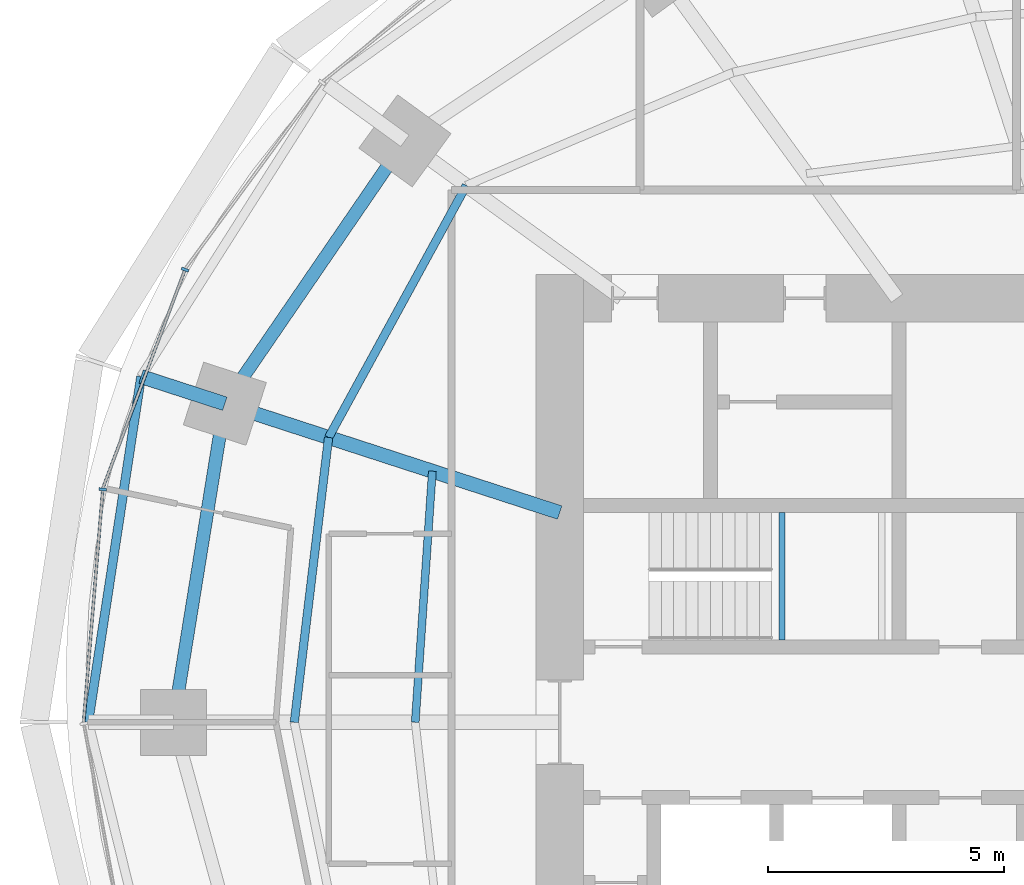
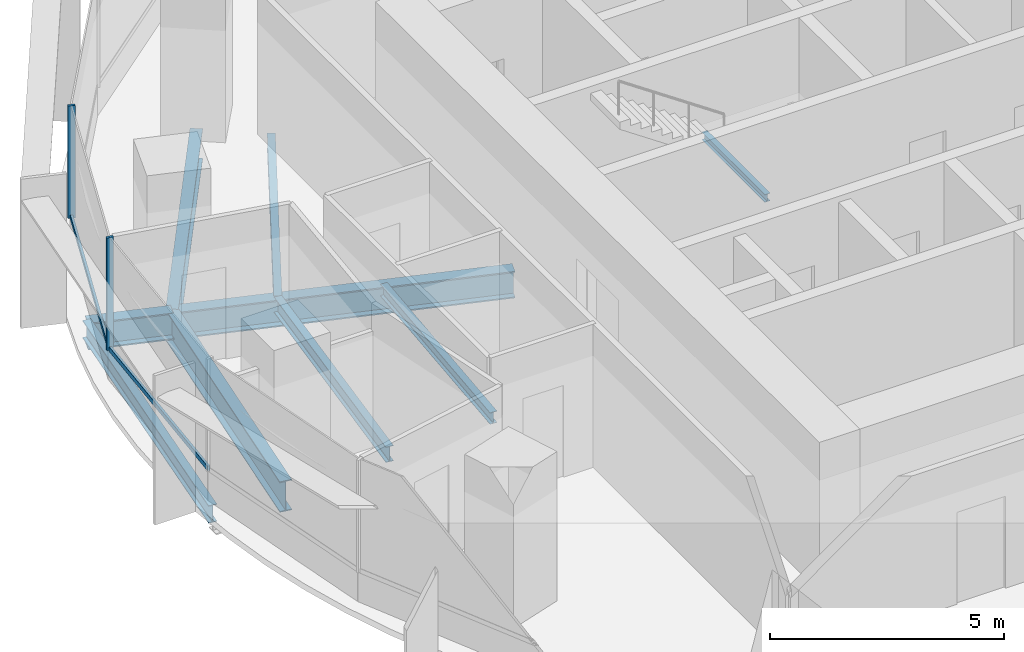
# One storey, part 4 of 14: 9 beams, 4 members, 1 element without a shape of its own.
"""IFC4 building model written with IfcOpenShell, lengths in metres."""

from ifc_helpers import new_model, si_unit, direction, frame, origin, origin_2d, place, context, subcontext, project, spatial, rectangle, i_section, extrude, material, material_profile, profile_set, type_object, element, aggregate, save


model = new_model("IFC4")

# Units and contexts
model_context = context("Model", 3, precision=1e-05, world=origin(), true_north=direction((0.0, 1.0)))
body_context = subcontext(model_context, "Body", "Model", "MODEL_VIEW")
ifc_project = project(units=[si_unit("LENGTHUNIT", "METRE"), si_unit("AREAUNIT", "SQUARE_METRE"), si_unit("VOLUMEUNIT", "CUBIC_METRE"), si_unit("PLANEANGLEUNIT", "RADIAN"), si_unit("MASSUNIT", "GRAM", prefix="KILO")], contexts=[model_context])

# Site, building, storey
site_placement = place(None, origin())
site = spatial("IfcSite", under=ifc_project, at=site_placement, CompositionType="ELEMENT")
building_placement = place(site_placement, origin())
building = spatial("IfcBuilding", under=site, at=building_placement, Name="Marramba Exchange Tower", CompositionType="ELEMENT")
storey_placement = place(building_placement, frame((0.0, 0.0, 176.0)))
storey = spatial("IfcBuildingStorey", under=building, at=storey_placement, Name="L42", CompositionType="ELEMENT", Elevation=176.0)

# Beams
ifc_material_1 = material(Name="Steel AS/NZS 3679.2 grade 300", Category="steel")
ifc_material_profile_1 = material_profile(ifc_material_1, i_section(OverallWidth=0.300048828125, OverallDepth=0.699951171875, WebThickness=0.010009765625, FlangeThickness=0.031982421875, at=origin_2d()), Name="700WB173")
ifc_profile_set_1 = profile_set([ifc_material_profile_1], Name="Steel AS/NZS 3679.2 grade 300")
beam_type_1 = type_object("IfcBeamType", Name="Cantilever girder 700WB173", PredefinedType="BEAM", material=ifc_profile_set_1)
beam_1_placement = place(storey_placement, frame((-20.808349609375, 6.760986328125, -0.510009765625), z_axis=(-0.951047511993, 0.309044705395, 0.0), x_axis=(-0.309044705395, -0.951047511993, 0.0)))
element("IfcBeam", 1, at=beam_1_placement, inside=storey, type_object=beam_type_1, Name="Cantilever girder L42 TC10", PredefinedType="BEAM", context=body_context, shape_type="SweptSolid", body=[
    extrude(i_section(OverallWidth=0.300048828125, OverallDepth=0.699951171875, WebThickness=0.010009765625, FlangeThickness=0.031982421875, at=origin_2d()), origin(), (0.0, 0.0, 1.0), 1.868408203125),
])
ifc_material_2 = material(Name="Steel AS/NZS 3679.1 grade 300", Category="steel")
ifc_material_profile_2 = material_profile(ifc_material_2, i_section(OverallWidth=0.166015625, OverallDepth=0.306884765625, WebThickness=0.006591796875, FlangeThickness=0.01171875, FilletRadius=0.011474609375, at=origin_2d()), Name="310UB46.2")
ifc_profile_set_2 = profile_set([ifc_material_profile_2], Name="Steel AS/NZS 3679.1 grade 300")
beam_type_2 = type_object("IfcBeamType", Name="Floor joist 310UB46.2", PredefinedType="JOIST", material=ifc_profile_set_2)
beam_2_placement = place(storey_placement, frame((-16.40283203125, 5.32958984375, -0.3134765625), z_axis=(-0.068096259546, -0.99767875563, 0.0), x_axis=(0.99767875563, -0.068096259546, 0.0)))
element("IfcBeam", 2, at=beam_2_placement, inside=storey, type_object=beam_type_2, Name="Joist L42 bay 10 row 1", PredefinedType="JOIST", context=body_context, shape_type="SweptSolid", body=[
    extrude(i_section(OverallWidth=0.166015625, OverallDepth=0.306884765625, WebThickness=0.006591796875, FlangeThickness=0.01171875, FilletRadius=0.011474609375, at=origin_2d()), origin(), (0.0, 0.0, 1.0), 5.342041015625),
])
ifc_material_profile_3 = material_profile(ifc_material_2, i_section(OverallWidth=0.177978515625, OverallDepth=0.406005859375, WebThickness=0.0078125, FlangeThickness=0.0126953125, FilletRadius=0.011474609375, at=origin_2d()), Name="410UB59.7")
ifc_profile_set_3 = profile_set([ifc_material_profile_3], Name="Steel AS/NZS 3679.1 grade 300")
beam_type_3 = type_object("IfcBeamType", Name="Floor joist 410UB59.7", PredefinedType="JOIST", material=ifc_profile_set_3)
beam_3_placement = place(storey_placement, frame((-15.682373046875, 11.393798828125, -0.363037109375), z_axis=(-0.479584443791, -0.877495732909, 0.0), x_axis=(0.877495732909, -0.479584443791, 0.0)))
element("IfcBeam", 3, at=beam_3_placement, inside=storey, type_object=beam_type_3, Name="Joist L42 bay 09 row 2", PredefinedType="JOIST", context=body_context, shape_type="SweptSolid", body=[
    extrude(i_section(OverallWidth=0.177978515625, OverallDepth=0.406005859375, WebThickness=0.0078125, FlangeThickness=0.0126953125, FilletRadius=0.011474609375, at=origin_2d()), origin(), (0.0, 0.0, 1.0), 6.094970703125),
])
beam_4_placement = place(storey_placement, frame((-18.60546875, 6.04541015625, -0.363037109375), z_axis=(-0.119523078538, -0.992831422597, 0.0), x_axis=(0.992831422597, -0.119523078538, 0.0)))
element("IfcBeam", 4, at=beam_4_placement, inside=storey, type_object=beam_type_3, Name="Joist L42 bay 10 row 2", PredefinedType="JOIST", context=body_context, shape_type="SweptSolid", body=[
    extrude(i_section(OverallWidth=0.177978515625, OverallDepth=0.406005859375, WebThickness=0.0078125, FlangeThickness=0.0126953125, FilletRadius=0.011474609375, at=origin_2d()), origin(), (0.0, 0.0, 1.0), 6.089111328125),
])

# Curtain wall, members
ifc_material_3 = material(Name="Aluminium framing, bronze anodised", Category="aluminium")
curtain_wall_type = type_object("IfcCurtainWallType", Name="Office ribbon curtain wall", PredefinedType="USERDEFINED", material=ifc_material_3)
curtain_wall_placement = place(storey_placement, origin())
curtain_wall = element("IfcCurtainWall", 5, at=curtain_wall_placement, inside=storey, type_object=curtain_wall_type, Name="Curtain wall CW4 L42 F11-F15", ObjectType="RIBBON CURTAIN WALL", PredefinedType="USERDEFINED")
ifc_material_4 = material(Name="Aluminium mullion, bronze anodised", Category="aluminium")
ifc_material_profile_4 = material_profile(ifc_material_4, rectangle(XDim=0.159912109375, YDim=0.06005859375, at=origin_2d()), Name="CW4 mullion 60x160")
ifc_profile_set_4 = profile_set([ifc_material_profile_4], Name="Aluminium mullion, bronze anodised")
member_type_1 = type_object("IfcMemberType", Name="Office ribbon curtain wall mullion", PredefinedType="MULLION", material=ifc_profile_set_4)
member_1_placement = place(storey_placement, frame((-21.65283203125, 9.607666015625, 0.800048828125), z_axis=(0.0, 0.0, 1.0), x_axis=(0.936018231909, -0.351951515885, 0.0)))
member_1 = element("IfcMember", 6, at=member_1_placement, type_object=member_type_1, Name="CW4 mullion 1", PredefinedType="MULLION", context=body_context, shape_type="SweptSolid", body=[
    extrude(rectangle(XDim=0.159912109375, YDim=0.06005859375, at=origin_2d()), origin(), (0.0, 0.0, 1.0), 2.93994140625),
])
member_2_placement = place(storey_placement, frame((-23.39794921875, 4.94287109375, 0.800048828125), z_axis=(0.0, 0.0, 1.0), x_axis=(0.996609178714, -0.082280890264, 0.0)))
member_2 = element("IfcMember", 7, at=member_2_placement, type_object=member_type_1, Name="CW4 mullion 1", PredefinedType="MULLION", context=body_context, shape_type="SweptSolid", body=[
    extrude(rectangle(XDim=0.159912109375, YDim=0.06005859375, at=origin_2d()), origin(), (0.0, 0.0, 1.0), 2.93994140625),
])
ifc_material_5 = material(Name="Aluminium transom, bronze anodised", Category="aluminium")
ifc_material_profile_5 = material_profile(ifc_material_5, rectangle(XDim=0.06005859375, YDim=0.1201171875, at=origin_2d()), Name="CW4 transom 60x120")
ifc_profile_set_5 = profile_set([ifc_material_profile_5], Name="Aluminium transom, bronze anodised")
member_type_2 = type_object("IfcMemberType", Name="Office ribbon curtain wall transom", PredefinedType="USERDEFINED", material=ifc_profile_set_5)
member_3_placement = place(storey_placement, frame((-21.663330078125, 9.57958984375, 0.830078125), z_axis=(-0.351955054115, -0.936016901494, 0.0), x_axis=(0.936016901494, -0.351955054115, 0.0)))
member_3 = element("IfcMember", 8, at=member_3_placement, type_object=member_type_2, Name="CW4 sill transom", ObjectType="TRANSOM", PredefinedType="USERDEFINED", context=body_context, shape_type="SweptSolid", body=[
    extrude(rectangle(XDim=0.06005859375, YDim=0.1201171875, at=origin_2d()), origin(), (0.0, 0.0, 1.0), 4.921630859375),
])
member_4_placement = place(storey_placement, frame((-23.400390625, 4.9130859375, 0.830078125), z_axis=(-0.082258542539, -0.996611023509, 0.0), x_axis=(0.996611023509, -0.082258542539, 0.0)))
member_4 = element("IfcMember", 9, at=member_4_placement, type_object=member_type_2, Name="CW4 sill transom", ObjectType="TRANSOM", PredefinedType="USERDEFINED", context=body_context, shape_type="SweptSolid", body=[
    extrude(rectangle(XDim=0.06005859375, YDim=0.1201171875, at=origin_2d()), origin(), (0.0, 0.0, 1.0), 4.9296875),
])
aggregate(curtain_wall, [member_1, member_3, member_2, member_4])

# Beams
ifc_material_profile_6 = material_profile(ifc_material_1, i_section(OverallWidth=0.300048828125, OverallDepth=0.699951171875, WebThickness=0.010009765625, FlangeThickness=0.031982421875, at=origin_2d()), Name="700WB173")
ifc_profile_set_6 = profile_set([ifc_material_profile_6], Name="Steel AS/NZS 3679.2 grade 300")
beam_type_4 = type_object("IfcBeamType", Name="Radial girder 700WB173", PredefinedType="BEAM", material=ifc_profile_set_6)
beam_5_placement = place(storey_placement, frame((-13.699951171875, 4.451416015625, -0.510009765625), z_axis=(-0.951059990189, 0.309006302624, 0.0), x_axis=(-0.309006302624, -0.951059990189, 0.0)))
element("IfcBeam", 10, at=beam_5_placement, inside=storey, type_object=beam_type_4, Name="Radial girder L42 TC10", PredefinedType="BEAM", context=body_context, shape_type="SweptSolid", body=[
    extrude(i_section(OverallWidth=0.300048828125, OverallDepth=0.699951171875, WebThickness=0.010009765625, FlangeThickness=0.031982421875, at=origin_2d()), origin(), (0.0, 0.0, 1.0), 7.47412109375),
])
ifc_material_profile_7 = material_profile(ifc_material_1, i_section(OverallWidth=0.27490234375, OverallDepth=0.800048828125, WebThickness=0.010009765625, FlangeThickness=0.02490234375, at=origin_2d()), Name="800WB168")
ifc_profile_set_7 = profile_set([ifc_material_profile_7], Name="Steel AS/NZS 3679.2 grade 300")
beam_type_5 = type_object("IfcBeamType", Name="Ring beam 800WB168", PredefinedType="SPANDREL", material=ifc_profile_set_7)
beam_6_placement = place(storey_placement, frame((-16.98583984375, 12.3408203125, -0.56005859375), z_axis=(-0.56516002054, -0.824981303535, 0.0), x_axis=(0.824981303535, -0.56516002054, 0.0)))
element("IfcBeam", 11, at=beam_6_placement, inside=storey, type_object=beam_type_5, Name="Ring beam L42 TC09-TC10", PredefinedType="SPANDREL", context=body_context, shape_type="SweptSolid", body=[
    extrude(i_section(OverallWidth=0.27490234375, OverallDepth=0.800048828125, WebThickness=0.010009765625, FlangeThickness=0.02490234375, at=origin_2d()), origin(), (0.0, 0.0, 1.0), 6.763671875),
])
beam_7_placement = place(storey_placement, frame((-20.808349609375, 6.760986328125, -0.56005859375), z_axis=(-0.159384865399, -0.987216523708, 0.0), x_axis=(0.987216523708, -0.159384865399, 0.0)))
element("IfcBeam", 12, at=beam_7_placement, inside=storey, type_object=beam_type_5, Name="Ring beam L42 TC10-TC11", PredefinedType="SPANDREL", context=body_context, shape_type="SweptSolid", body=[
    extrude(i_section(OverallWidth=0.27490234375, OverallDepth=0.800048828125, WebThickness=0.010009765625, FlangeThickness=0.02490234375, at=origin_2d()), origin(), (0.0, 0.0, 1.0), 6.8486328125),
])
ifc_material_profile_8 = material_profile(ifc_material_2, i_section(OverallWidth=0.19091796875, OverallDepth=0.4599609375, WebThickness=0.010009765625, FlangeThickness=0.01611328125, FilletRadius=0.011474609375, at=origin_2d()), Name="460UB82.1")
ifc_profile_set_8 = profile_set([ifc_material_profile_8], Name="Steel AS/NZS 3679.1 grade 300")
beam_type_6 = type_object("IfcBeamType", Name="Slab edge beam 460UB82.1", PredefinedType="SPANDREL", material=ifc_profile_set_8)
beam_8_placement = place(storey_placement, frame((-22.585205078125, 7.33837890625, -0.389892578125), z_axis=(-0.150987012186, -0.988535746522, 0.0), x_axis=(0.988535746522, -0.150987012186, 0.0)))
element("IfcBeam", 13, at=beam_8_placement, inside=storey, type_object=beam_type_6, Name="Slab edge beam L42 TC10-TC11", PredefinedType="SPANDREL", context=body_context, shape_type="SweptSolid", body=[
    extrude(i_section(OverallWidth=0.19091796875, OverallDepth=0.4599609375, WebThickness=0.010009765625, FlangeThickness=0.01611328125, FilletRadius=0.011474609375, at=origin_2d()), origin(), (0.0, 0.0, 1.0), 7.423583984375),
])
ifc_material_profile_9 = material_profile(ifc_material_2, i_section(OverallWidth=0.133056640625, OverallDepth=0.202880859375, WebThickness=0.005859375, FlangeThickness=0.0078125, FilletRadius=0.0087890625, at=origin_2d()), Name="200UB25.4")
ifc_profile_set_9 = profile_set([ifc_material_profile_9], Name="Steel AS/NZS 3679.1 grade 300")
beam_type_7 = type_object("IfcBeamType", Name="Stair landing beam 200UB25.4", PredefinedType="BEAM", material=ifc_profile_set_9)
beam_9_placement = place(storey_placement, frame((-8.9833984375, 1.75, 1.6484375), z_axis=(0.0, 1.0, 0.0), x_axis=(-1.0, 0.0, 0.0)))
element("IfcBeam", 14, at=beam_9_placement, inside=storey, type_object=beam_type_7, Name="Stair landing beam SLB1 ST1 L42 1", PredefinedType="BEAM", context=body_context, shape_type="SweptSolid", body=[
    extrude(i_section(OverallWidth=0.133056640625, OverallDepth=0.202880859375, WebThickness=0.005859375, FlangeThickness=0.0078125, FilletRadius=0.0087890625, at=origin_2d()), origin(), (0.0, 0.0, 1.0), 2.699951171875),
])

save(model, "model.ifc")
